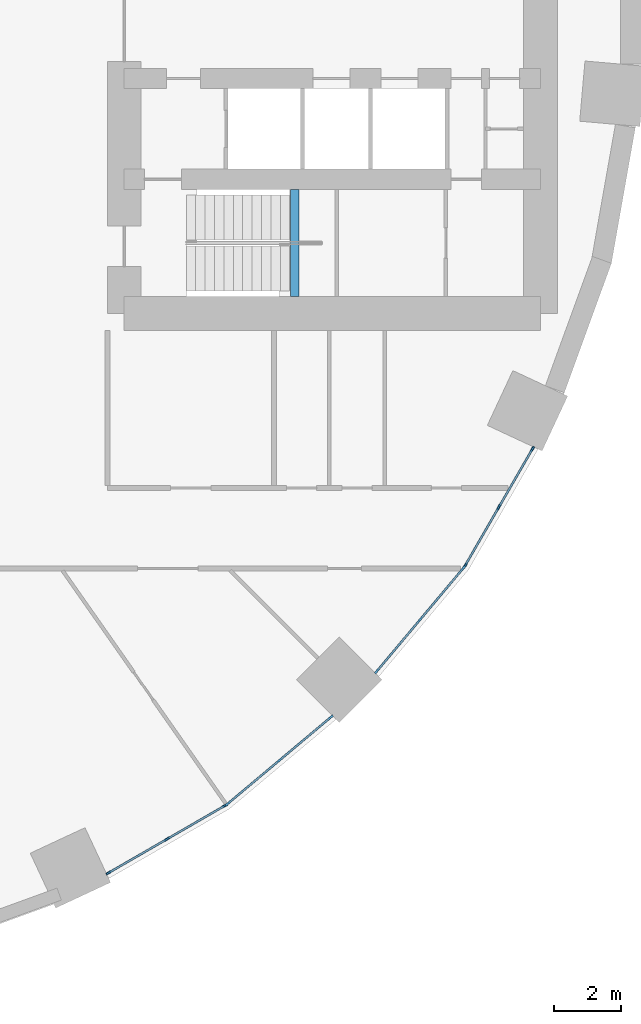
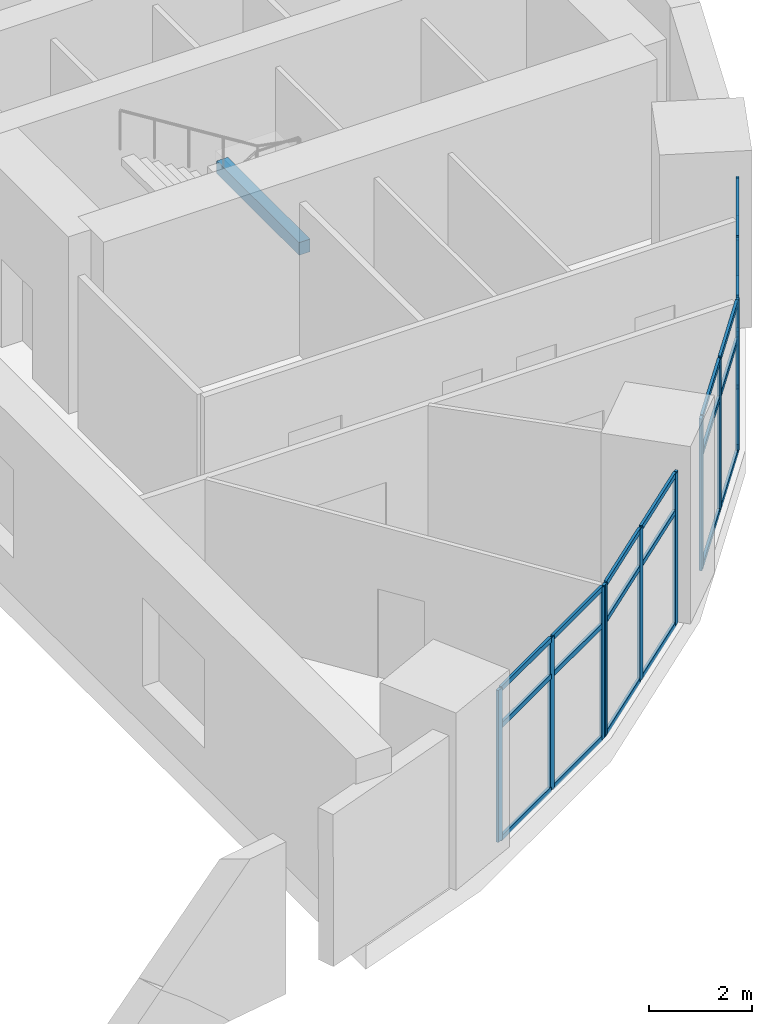
# One storey, part 4 of 15: 36 members, 1 beam, 4 elements without a shape of their own.
"""IFC4 building model written with IfcOpenShell, lengths in metres."""

from ifc_helpers import new_model, si_unit, direction, frame, origin, origin_2d, place, context, subcontext, project, spatial, rectangle, extrude, material, layer, layer_set, material_profile, profile_set, type_object, element, aggregate, save


model = new_model("IFC4")

# Units and contexts
model_context = context("Model", 3, precision=1e-05, world=origin(), true_north=direction((0.0, 1.0)))
body_context = subcontext(model_context, "Body", "Model", "MODEL_VIEW")
ifc_project = project(units=[si_unit("LENGTHUNIT", "METRE"), si_unit("AREAUNIT", "SQUARE_METRE"), si_unit("VOLUMEUNIT", "CUBIC_METRE"), si_unit("PLANEANGLEUNIT", "RADIAN"), si_unit("MASSUNIT", "GRAM", prefix="KILO")], contexts=[model_context])

# Site, building, storey
site_placement = place(None, origin())
site = spatial("IfcSite", under=ifc_project, at=site_placement, CompositionType="ELEMENT")
building_placement = place(site_placement, origin())
building = spatial("IfcBuilding", under=site, at=building_placement, Name="Saqina Gate Tower", CompositionType="ELEMENT")
storey_placement = place(building_placement, frame((0.0, 0.0, 17.60009765625)))
storey = spatial("IfcBuildingStorey", under=building, at=storey_placement, Name="L04", CompositionType="ELEMENT", Elevation=17.60009765625)

# Curtain wall, members
ifc_material_1 = material(Name="Aluminium glazing", Category="aluminium")
ifc_layer = layer(ifc_material_1, 0.159912109375)
ifc_layer_set = layer_set([ifc_layer], Name="CWT-1")
curtain_wall_type = type_object("IfcCurtainWallType", Name="CWT-1", PredefinedType="NOTDEFINED", material=ifc_layer_set)
curtain_wall_1_placement = place(storey_placement, origin())
curtain_wall_1 = element("IfcCurtainWall", 1, at=curtain_wall_1_placement, inside=storey, type_object=curtain_wall_type, Name="Podium shopfront facet 30", PredefinedType="NOTDEFINED")
ifc_material_2 = material(Name="Aluminium", Category="aluminium")
ifc_material_profile_1 = material_profile(ifc_material_2, rectangle(XDim=0.06005859375, YDim=0.159912109375, at=origin_2d()), Name="Aluminium 60x160")
ifc_profile_set_1 = profile_set([ifc_material_profile_1], Name="Aluminium")
member_type_1 = type_object("IfcMemberType", Name="CWT-1M", PredefinedType="MULLION", material=ifc_profile_set_1)
member_1_placement = place(storey_placement, frame((13.03466796875, -25.66015625, 0.0), z_axis=(0.0, 0.0, 1.0), x_axis=(-0.500013894893, 0.866017381415, 0.0)))
member_1 = element("IfcMember", 2, at=member_1_placement, type_object=member_type_1, Name="CW1-30 mullion 1", PredefinedType="MULLION", context=body_context, shape_type="SweptSolid", body=[
    extrude(rectangle(XDim=0.06005859375, YDim=0.159912109375, at=origin_2d()), origin(), (0.0, 0.0, 1.0), 3.599853515625),
])
member_2_placement = place(storey_placement, frame((14.770751953125, -24.65771484375, 0.0), z_axis=(0.0, 0.0, 1.0), x_axis=(-0.500013894893, 0.866017381415, 0.0)))
member_2 = element("IfcMember", 3, at=member_2_placement, type_object=member_type_1, Name="CW1-30 mullion 2", PredefinedType="MULLION", context=body_context, shape_type="SweptSolid", body=[
    extrude(rectangle(XDim=0.06005859375, YDim=0.159912109375, at=origin_2d()), origin(), (0.0, 0.0, 1.0), 3.599853515625),
])
member_3_placement = place(storey_placement, frame((16.5068359375, -23.655517578125, 0.0), z_axis=(0.0, 0.0, 1.0), x_axis=(-0.500013894893, 0.866017381415, 0.0)))
member_3 = element("IfcMember", 4, at=member_3_placement, type_object=member_type_1, Name="CW1-30 mullion 3", PredefinedType="MULLION", context=body_context, shape_type="SweptSolid", body=[
    extrude(rectangle(XDim=0.06005859375, YDim=0.159912109375, at=origin_2d()), origin(), (0.0, 0.0, 1.0), 3.599853515625),
])

curtain_wall_2_placement = place(storey_placement, origin())
curtain_wall_2 = element("IfcCurtainWall", 5, at=curtain_wall_2_placement, inside=storey, type_object=curtain_wall_type, Name="Podium shopfront facet 31", PredefinedType="NOTDEFINED")
member_4_placement = place(storey_placement, frame((16.583251953125, -23.601806640625, 0.0), z_axis=(0.0, 0.0, 1.0), x_axis=(-0.642779322911, 0.766051396473, 0.0)))
member_4 = element("IfcMember", 6, at=member_4_placement, type_object=member_type_1, Name="CW1-31 mullion 1", PredefinedType="MULLION", context=body_context, shape_type="SweptSolid", body=[
    extrude(rectangle(XDim=0.06005859375, YDim=0.159912109375, at=origin_2d()), origin(), (0.0, 0.0, 1.0), 3.599853515625),
])
member_5_placement = place(storey_placement, frame((18.118896484375, -22.3134765625, 0.0), z_axis=(0.0, 0.0, 1.0), x_axis=(-0.642779322911, 0.766051396473, 0.0)))
member_5 = element("IfcMember", 7, at=member_5_placement, type_object=member_type_1, Name="CW1-31 mullion 2", PredefinedType="MULLION", context=body_context, shape_type="SweptSolid", body=[
    extrude(rectangle(XDim=0.06005859375, YDim=0.159912109375, at=origin_2d()), origin(), (0.0, 0.0, 1.0), 3.599853515625),
])
member_6_placement = place(storey_placement, frame((19.654296875, -21.02490234375, 0.0), z_axis=(0.0, 0.0, 1.0), x_axis=(-0.642779322911, 0.766051396473, 0.0)))
member_6 = element("IfcMember", 8, at=member_6_placement, type_object=member_type_1, Name="CW1-31 mullion 3", PredefinedType="MULLION", context=body_context, shape_type="SweptSolid", body=[
    extrude(rectangle(XDim=0.06005859375, YDim=0.159912109375, at=origin_2d()), origin(), (0.0, 0.0, 1.0), 3.599853515625),
])

curtain_wall_3_placement = place(storey_placement, origin())
curtain_wall_3 = element("IfcCurtainWall", 9, at=curtain_wall_3_placement, inside=storey, type_object=curtain_wall_type, Name="Podium shopfront facet 32", PredefinedType="NOTDEFINED")
member_7_placement = place(storey_placement, frame((21.02490234375, -19.654296875, 0.0), z_axis=(0.0, 0.0, 1.0), x_axis=(-0.766051396473, 0.642779322911, 0.0)))
member_7 = element("IfcMember", 10, at=member_7_placement, type_object=member_type_1, Name="CW1-32 mullion 1", PredefinedType="MULLION", context=body_context, shape_type="SweptSolid", body=[
    extrude(rectangle(XDim=0.06005859375, YDim=0.159912109375, at=origin_2d()), origin(), (0.0, 0.0, 1.0), 3.599853515625),
])
member_8_placement = place(storey_placement, frame((22.3134765625, -18.118896484375, 0.0), z_axis=(0.0, 0.0, 1.0), x_axis=(-0.766051396473, 0.642779322911, 0.0)))
member_8 = element("IfcMember", 11, at=member_8_placement, type_object=member_type_1, Name="CW1-32 mullion 2", PredefinedType="MULLION", context=body_context, shape_type="SweptSolid", body=[
    extrude(rectangle(XDim=0.06005859375, YDim=0.159912109375, at=origin_2d()), origin(), (0.0, 0.0, 1.0), 3.599853515625),
])
member_9_placement = place(storey_placement, frame((23.601806640625, -16.583251953125, 0.0), z_axis=(0.0, 0.0, 1.0), x_axis=(-0.766051396473, 0.642779322911, 0.0)))
member_9 = element("IfcMember", 12, at=member_9_placement, type_object=member_type_1, Name="CW1-32 mullion 3", PredefinedType="MULLION", context=body_context, shape_type="SweptSolid", body=[
    extrude(rectangle(XDim=0.06005859375, YDim=0.159912109375, at=origin_2d()), origin(), (0.0, 0.0, 1.0), 3.599853515625),
])

curtain_wall_4_placement = place(storey_placement, origin())
curtain_wall_4 = element("IfcCurtainWall", 13, at=curtain_wall_4_placement, inside=storey, type_object=curtain_wall_type, Name="Podium shopfront facet 33", PredefinedType="NOTDEFINED")
member_10_placement = place(storey_placement, frame((23.655517578125, -16.5068359375, 0.0), z_axis=(0.0, 0.0, 1.0), x_axis=(-0.866017381415, 0.500013894893, 0.0)))
member_10 = element("IfcMember", 14, at=member_10_placement, type_object=member_type_1, Name="CW1-33 mullion 1", PredefinedType="MULLION", context=body_context, shape_type="SweptSolid", body=[
    extrude(rectangle(XDim=0.06005859375, YDim=0.159912109375, at=origin_2d()), origin(), (0.0, 0.0, 1.0), 3.599853515625),
])
member_11_placement = place(storey_placement, frame((24.65771484375, -14.770751953125, 0.0), z_axis=(0.0, 0.0, 1.0), x_axis=(-0.866017381415, 0.500013894893, 0.0)))
member_11 = element("IfcMember", 15, at=member_11_placement, type_object=member_type_1, Name="CW1-33 mullion 2", PredefinedType="MULLION", context=body_context, shape_type="SweptSolid", body=[
    extrude(rectangle(XDim=0.06005859375, YDim=0.159912109375, at=origin_2d()), origin(), (0.0, 0.0, 1.0), 3.599853515625),
])
member_12_placement = place(storey_placement, frame((25.66015625, -13.03466796875, 0.0), z_axis=(0.0, 0.0, 1.0), x_axis=(-0.866017381415, 0.500013894893, 0.0)))
member_12 = element("IfcMember", 16, at=member_12_placement, type_object=member_type_1, Name="CW1-33 mullion 3", PredefinedType="MULLION", context=body_context, shape_type="SweptSolid", body=[
    extrude(rectangle(XDim=0.06005859375, YDim=0.159912109375, at=origin_2d()), origin(), (0.0, 0.0, 1.0), 3.599853515625),
])

# Member
ifc_material_3 = material(Name="Aluminium", Category="aluminium")
ifc_material_profile_2 = material_profile(ifc_material_3, rectangle(XDim=0.06005859375, YDim=0.1201171875, at=origin_2d()), Name="Aluminium 60x120")
ifc_profile_set_2 = profile_set([ifc_material_profile_2], Name="Aluminium")
member_type_2 = type_object("IfcMemberType", Name="CWT-1T", PredefinedType="USERDEFINED", material=ifc_profile_set_2)
member_13_placement = place(storey_placement, frame((13.060791015625, -25.64501953125, 0.02978515625), z_axis=(0.866055964107, 0.499947064232, 0.0), x_axis=(-0.499947064232, 0.866055964107, 0.0)))
member_13 = element("IfcMember", 17, at=member_13_placement, type_object=member_type_2, Name="CW1-30 transom 1.1", ObjectType="TRANSOM", PredefinedType="USERDEFINED", context=body_context, shape_type="SweptSolid", body=[
    extrude(rectangle(XDim=0.06005859375, YDim=0.1201171875, at=origin_2d()), origin(), (0.0, 0.0, 1.0), 1.944580078125),
])

member_14_placement = place(storey_placement, frame((13.060791015625, -25.64501953125, 2.699951171875), z_axis=(0.866055964107, 0.499947064232, 0.0), x_axis=(-0.499947064232, 0.866055964107, 0.0)))
member_14 = element("IfcMember", 18, at=member_14_placement, type_object=member_type_2, Name="CW1-30 transom 1.2", ObjectType="TRANSOM", PredefinedType="USERDEFINED", context=body_context, shape_type="SweptSolid", body=[
    extrude(rectangle(XDim=0.06005859375, YDim=0.1201171875, at=origin_2d()), origin(), (0.0, 0.0, 1.0), 1.944580078125),
])

member_15_placement = place(storey_placement, frame((13.060791015625, -25.64501953125, 3.56982421875), z_axis=(0.866055964107, 0.499947064232, 0.0), x_axis=(-0.499947064232, 0.866055964107, 0.0)))
member_15 = element("IfcMember", 19, at=member_15_placement, type_object=member_type_2, Name="CW1-30 transom 1.3", ObjectType="TRANSOM", PredefinedType="USERDEFINED", context=body_context, shape_type="SweptSolid", body=[
    extrude(rectangle(XDim=0.06005859375, YDim=0.1201171875, at=origin_2d()), origin(), (0.0, 0.0, 1.0), 1.944580078125),
])

member_16_placement = place(storey_placement, frame((14.796630859375, -24.642822265625, 0.02978515625), z_axis=(0.866001600736, 0.500041225824, 0.0), x_axis=(-0.500041225824, 0.866001600736, 0.0)))
member_16 = element("IfcMember", 20, at=member_16_placement, type_object=member_type_2, Name="CW1-30 transom 2.1", ObjectType="TRANSOM", PredefinedType="USERDEFINED", context=body_context, shape_type="SweptSolid", body=[
    extrude(rectangle(XDim=0.06005859375, YDim=0.1201171875, at=origin_2d()), origin(), (0.0, 0.0, 1.0), 1.944580078125),
])

member_17_placement = place(storey_placement, frame((14.796630859375, -24.642822265625, 2.699951171875), z_axis=(0.866001600736, 0.500041225824, 0.0), x_axis=(-0.500041225824, 0.866001600736, 0.0)))
member_17 = element("IfcMember", 21, at=member_17_placement, type_object=member_type_2, Name="CW1-30 transom 2.2", ObjectType="TRANSOM", PredefinedType="USERDEFINED", context=body_context, shape_type="SweptSolid", body=[
    extrude(rectangle(XDim=0.06005859375, YDim=0.1201171875, at=origin_2d()), origin(), (0.0, 0.0, 1.0), 1.944580078125),
])

member_18_placement = place(storey_placement, frame((14.796630859375, -24.642822265625, 3.56982421875), z_axis=(0.866001600736, 0.500041225824, 0.0), x_axis=(-0.500041225824, 0.866001600736, 0.0)))
member_18 = element("IfcMember", 22, at=member_18_placement, type_object=member_type_2, Name="CW1-30 transom 2.3", ObjectType="TRANSOM", PredefinedType="USERDEFINED", context=body_context, shape_type="SweptSolid", body=[
    extrude(rectangle(XDim=0.06005859375, YDim=0.1201171875, at=origin_2d()), origin(), (0.0, 0.0, 1.0), 1.944580078125),
])

aggregate(curtain_wall_1, [member_1, member_2, member_3, member_13, member_14, member_15, member_16, member_17, member_18])

member_19_placement = place(storey_placement, frame((16.606201171875, -23.58251953125, 0.02978515625), z_axis=(0.766117756196, 0.642700228444, 0.0), x_axis=(-0.642700228444, 0.766117756196, 0.0)))
member_19 = element("IfcMember", 23, at=member_19_placement, type_object=member_type_2, Name="CW1-31 transom 1.1", ObjectType="TRANSOM", PredefinedType="USERDEFINED", context=body_context, shape_type="SweptSolid", body=[
    extrude(rectangle(XDim=0.06005859375, YDim=0.1201171875, at=origin_2d()), origin(), (0.0, 0.0, 1.0), 1.944580078125),
])

member_20_placement = place(storey_placement, frame((16.606201171875, -23.58251953125, 2.699951171875), z_axis=(0.766117756196, 0.642700228444, 0.0), x_axis=(-0.642700228444, 0.766117756196, 0.0)))
member_20 = element("IfcMember", 24, at=member_20_placement, type_object=member_type_2, Name="CW1-31 transom 1.2", ObjectType="TRANSOM", PredefinedType="USERDEFINED", context=body_context, shape_type="SweptSolid", body=[
    extrude(rectangle(XDim=0.06005859375, YDim=0.1201171875, at=origin_2d()), origin(), (0.0, 0.0, 1.0), 1.944580078125),
])

member_21_placement = place(storey_placement, frame((16.606201171875, -23.58251953125, 3.56982421875), z_axis=(0.766117756196, 0.642700228444, 0.0), x_axis=(-0.642700228444, 0.766117756196, 0.0)))
member_21 = element("IfcMember", 25, at=member_21_placement, type_object=member_type_2, Name="CW1-31 transom 1.3", ObjectType="TRANSOM", PredefinedType="USERDEFINED", context=body_context, shape_type="SweptSolid", body=[
    extrude(rectangle(XDim=0.06005859375, YDim=0.1201171875, at=origin_2d()), origin(), (0.0, 0.0, 1.0), 1.944580078125),
])

member_22_placement = place(storey_placement, frame((18.141845703125, -22.294189453125, 0.02978515625), z_axis=(0.76600406177, 0.642835731235, 0.0), x_axis=(-0.642835731235, 0.76600406177, 0.0)))
member_22 = element("IfcMember", 26, at=member_22_placement, type_object=member_type_2, Name="CW1-31 transom 2.1", ObjectType="TRANSOM", PredefinedType="USERDEFINED", context=body_context, shape_type="SweptSolid", body=[
    extrude(rectangle(XDim=0.06005859375, YDim=0.1201171875, at=origin_2d()), origin(), (0.0, 0.0, 1.0), 1.944580078125),
])

member_23_placement = place(storey_placement, frame((18.141845703125, -22.294189453125, 2.699951171875), z_axis=(0.76600406177, 0.642835731235, 0.0), x_axis=(-0.642835731235, 0.76600406177, 0.0)))
member_23 = element("IfcMember", 27, at=member_23_placement, type_object=member_type_2, Name="CW1-31 transom 2.2", ObjectType="TRANSOM", PredefinedType="USERDEFINED", context=body_context, shape_type="SweptSolid", body=[
    extrude(rectangle(XDim=0.06005859375, YDim=0.1201171875, at=origin_2d()), origin(), (0.0, 0.0, 1.0), 1.944580078125),
])

member_24_placement = place(storey_placement, frame((18.141845703125, -22.294189453125, 3.56982421875), z_axis=(0.76600406177, 0.642835731235, 0.0), x_axis=(-0.642835731235, 0.76600406177, 0.0)))
member_24 = element("IfcMember", 28, at=member_24_placement, type_object=member_type_2, Name="CW1-31 transom 2.3", ObjectType="TRANSOM", PredefinedType="USERDEFINED", context=body_context, shape_type="SweptSolid", body=[
    extrude(rectangle(XDim=0.06005859375, YDim=0.1201171875, at=origin_2d()), origin(), (0.0, 0.0, 1.0), 1.944580078125),
])

aggregate(curtain_wall_2, [member_4, member_5, member_6, member_19, member_20, member_21, member_22, member_23, member_24])

member_25_placement = place(storey_placement, frame((21.044189453125, -19.63134765625, 0.02978515625), z_axis=(0.642835731235, 0.76600406177, 0.0), x_axis=(-0.76600406177, 0.642835731235, 0.0)))
member_25 = element("IfcMember", 29, at=member_25_placement, type_object=member_type_2, Name="CW1-32 transom 1.1", ObjectType="TRANSOM", PredefinedType="USERDEFINED", context=body_context, shape_type="SweptSolid", body=[
    extrude(rectangle(XDim=0.06005859375, YDim=0.1201171875, at=origin_2d()), origin(), (0.0, 0.0, 1.0), 1.944580078125),
])

member_26_placement = place(storey_placement, frame((21.044189453125, -19.63134765625, 2.699951171875), z_axis=(0.642835731235, 0.76600406177, 0.0), x_axis=(-0.76600406177, 0.642835731235, 0.0)))
member_26 = element("IfcMember", 30, at=member_26_placement, type_object=member_type_2, Name="CW1-32 transom 1.2", ObjectType="TRANSOM", PredefinedType="USERDEFINED", context=body_context, shape_type="SweptSolid", body=[
    extrude(rectangle(XDim=0.06005859375, YDim=0.1201171875, at=origin_2d()), origin(), (0.0, 0.0, 1.0), 1.944580078125),
])

member_27_placement = place(storey_placement, frame((21.044189453125, -19.63134765625, 3.56982421875), z_axis=(0.642835731235, 0.76600406177, 0.0), x_axis=(-0.76600406177, 0.642835731235, 0.0)))
member_27 = element("IfcMember", 31, at=member_27_placement, type_object=member_type_2, Name="CW1-32 transom 1.3", ObjectType="TRANSOM", PredefinedType="USERDEFINED", context=body_context, shape_type="SweptSolid", body=[
    extrude(rectangle(XDim=0.06005859375, YDim=0.1201171875, at=origin_2d()), origin(), (0.0, 0.0, 1.0), 1.944580078125),
])

member_28_placement = place(storey_placement, frame((22.332763671875, -18.095947265625, 0.02978515625), z_axis=(0.642700228444, 0.766117756196, 0.0), x_axis=(-0.766117756196, 0.642700228444, 0.0)))
member_28 = element("IfcMember", 32, at=member_28_placement, type_object=member_type_2, Name="CW1-32 transom 2.1", ObjectType="TRANSOM", PredefinedType="USERDEFINED", context=body_context, shape_type="SweptSolid", body=[
    extrude(rectangle(XDim=0.06005859375, YDim=0.1201171875, at=origin_2d()), origin(), (0.0, 0.0, 1.0), 1.944580078125),
])

member_29_placement = place(storey_placement, frame((22.332763671875, -18.095947265625, 2.699951171875), z_axis=(0.642700228444, 0.766117756196, 0.0), x_axis=(-0.766117756196, 0.642700228444, 0.0)))
member_29 = element("IfcMember", 33, at=member_29_placement, type_object=member_type_2, Name="CW1-32 transom 2.2", ObjectType="TRANSOM", PredefinedType="USERDEFINED", context=body_context, shape_type="SweptSolid", body=[
    extrude(rectangle(XDim=0.06005859375, YDim=0.1201171875, at=origin_2d()), origin(), (0.0, 0.0, 1.0), 1.944580078125),
])

member_30_placement = place(storey_placement, frame((22.332763671875, -18.095947265625, 3.56982421875), z_axis=(0.642700228444, 0.766117756196, 0.0), x_axis=(-0.766117756196, 0.642700228444, 0.0)))
member_30 = element("IfcMember", 34, at=member_30_placement, type_object=member_type_2, Name="CW1-32 transom 2.3", ObjectType="TRANSOM", PredefinedType="USERDEFINED", context=body_context, shape_type="SweptSolid", body=[
    extrude(rectangle(XDim=0.06005859375, YDim=0.1201171875, at=origin_2d()), origin(), (0.0, 0.0, 1.0), 1.944580078125),
])

aggregate(curtain_wall_3, [member_7, member_8, member_9, member_25, member_26, member_27, member_28, member_29, member_30])

member_31_placement = place(storey_placement, frame((23.67041015625, -16.480712890625, 0.02978515625), z_axis=(0.500041225824, 0.866001600736, 0.0), x_axis=(-0.866001600736, 0.500041225824, 0.0)))
member_31 = element("IfcMember", 35, at=member_31_placement, type_object=member_type_2, Name="CW1-33 transom 1.1", ObjectType="TRANSOM", PredefinedType="USERDEFINED", context=body_context, shape_type="SweptSolid", body=[
    extrude(rectangle(XDim=0.06005859375, YDim=0.1201171875, at=origin_2d()), origin(), (0.0, 0.0, 1.0), 1.944580078125),
])

member_32_placement = place(storey_placement, frame((23.67041015625, -16.480712890625, 2.699951171875), z_axis=(0.500041225824, 0.866001600736, 0.0), x_axis=(-0.866001600736, 0.500041225824, 0.0)))
member_32 = element("IfcMember", 36, at=member_32_placement, type_object=member_type_2, Name="CW1-33 transom 1.2", ObjectType="TRANSOM", PredefinedType="USERDEFINED", context=body_context, shape_type="SweptSolid", body=[
    extrude(rectangle(XDim=0.06005859375, YDim=0.1201171875, at=origin_2d()), origin(), (0.0, 0.0, 1.0), 1.944580078125),
])

member_33_placement = place(storey_placement, frame((23.67041015625, -16.480712890625, 3.56982421875), z_axis=(0.500041225824, 0.866001600736, 0.0), x_axis=(-0.866001600736, 0.500041225824, 0.0)))
member_33 = element("IfcMember", 37, at=member_33_placement, type_object=member_type_2, Name="CW1-33 transom 1.3", ObjectType="TRANSOM", PredefinedType="USERDEFINED", context=body_context, shape_type="SweptSolid", body=[
    extrude(rectangle(XDim=0.06005859375, YDim=0.1201171875, at=origin_2d()), origin(), (0.0, 0.0, 1.0), 1.944580078125),
])

member_34_placement = place(storey_placement, frame((24.6728515625, -14.744873046875, 0.02978515625), z_axis=(0.499947064232, 0.866055964107, 0.0), x_axis=(-0.866055964107, 0.499947064232, 0.0)))
member_34 = element("IfcMember", 38, at=member_34_placement, type_object=member_type_2, Name="CW1-33 transom 2.1", ObjectType="TRANSOM", PredefinedType="USERDEFINED", context=body_context, shape_type="SweptSolid", body=[
    extrude(rectangle(XDim=0.06005859375, YDim=0.1201171875, at=origin_2d()), origin(), (0.0, 0.0, 1.0), 1.944580078125),
])

member_35_placement = place(storey_placement, frame((24.6728515625, -14.744873046875, 2.699951171875), z_axis=(0.499947064232, 0.866055964107, 0.0), x_axis=(-0.866055964107, 0.499947064232, 0.0)))
member_35 = element("IfcMember", 39, at=member_35_placement, type_object=member_type_2, Name="CW1-33 transom 2.2", ObjectType="TRANSOM", PredefinedType="USERDEFINED", context=body_context, shape_type="SweptSolid", body=[
    extrude(rectangle(XDim=0.06005859375, YDim=0.1201171875, at=origin_2d()), origin(), (0.0, 0.0, 1.0), 1.944580078125),
])

member_36_placement = place(storey_placement, frame((24.6728515625, -14.744873046875, 3.56982421875), z_axis=(0.499947064232, 0.866055964107, 0.0), x_axis=(-0.866055964107, 0.499947064232, 0.0)))
member_36 = element("IfcMember", 40, at=member_36_placement, type_object=member_type_2, Name="CW1-33 transom 2.3", ObjectType="TRANSOM", PredefinedType="USERDEFINED", context=body_context, shape_type="SweptSolid", body=[
    extrude(rectangle(XDim=0.06005859375, YDim=0.1201171875, at=origin_2d()), origin(), (0.0, 0.0, 1.0), 1.944580078125),
])

aggregate(curtain_wall_4, [member_10, member_11, member_12, member_31, member_32, member_33, member_34, member_35, member_36])

# Beam
ifc_material_4 = material(Name="Concrete C40/50", Category="concrete")
ifc_material_profile_3 = material_profile(ifc_material_4, rectangle(XDim=0.25, YDim=0.300048828125, at=origin_2d()), Name="STAIR LANDING BEAM")
ifc_profile_set_3 = profile_set([ifc_material_profile_3], Name="Concrete C40/50")
beam_type = type_object("IfcBeamType", Name="STAIR LANDING BEAM", PredefinedType="BEAM", material=ifc_profile_set_3)
beam_placement = place(storey_placement, frame((18.580078125, -8.5, 1.699951171875), z_axis=(0.0, 1.0, 0.0), x_axis=(-1.0, 0.0, 0.0)))
element("IfcBeam", 41, at=beam_placement, inside=storey, type_object=beam_type, Name="EXIT STAIR 2 LANDING BEAM", PredefinedType="BEAM", context=body_context, shape_type="SweptSolid", body=[
    extrude(rectangle(XDim=0.25, YDim=0.300048828125, at=origin_2d()), origin(), (0.0, 0.0, 1.0), 3.199951171875),
])

save(model, "model.ifc")
